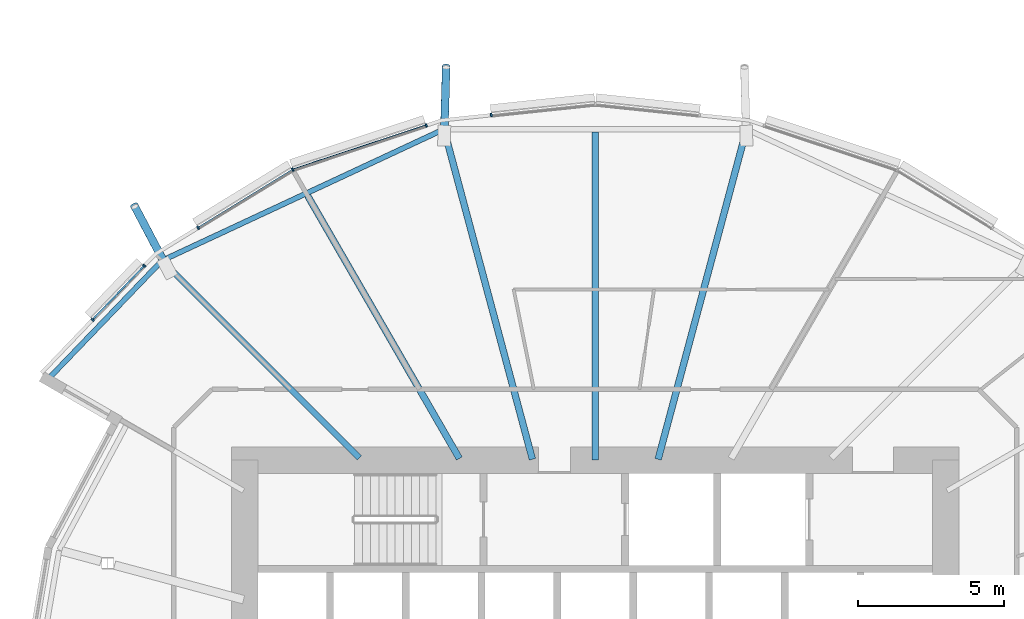
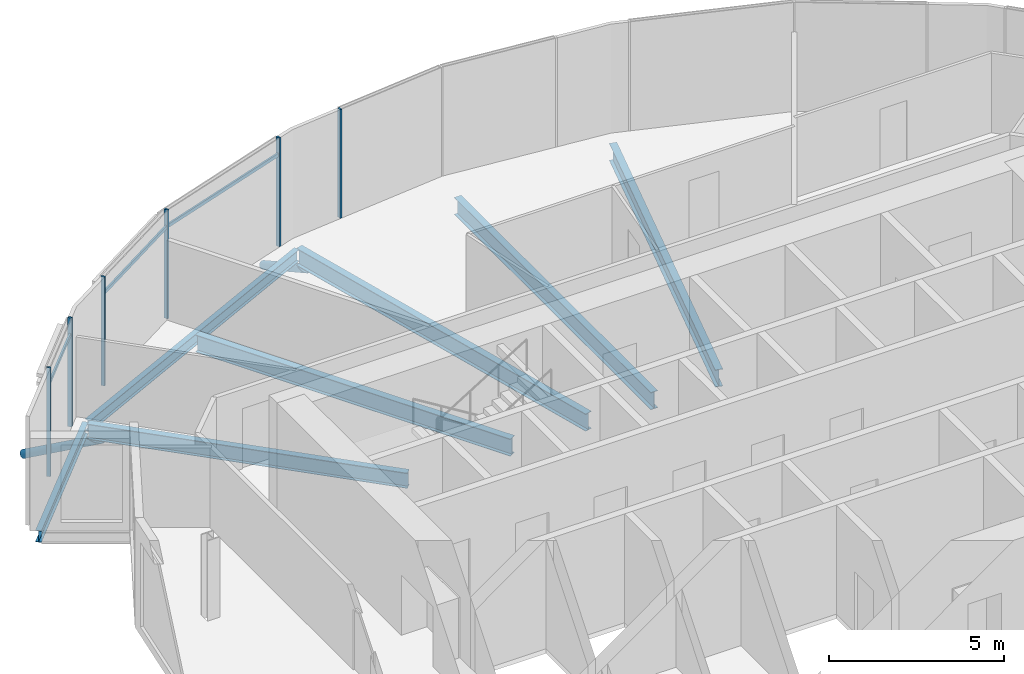
# One storey, part 10 of 37: 11 members, 7 beams, 1 element without a shape of its own.
"""IFC4 building model written with IfcOpenShell, lengths in metres."""

from ifc_helpers import new_model, si_unit, direction, frame, origin, origin_2d, place, context, subcontext, project, spatial, rectangle, hollow_circle, i_section, extrude, clip, halfspace, material, material_profile, profile_set, type_object, element, aggregate, save


model = new_model("IFC4")

# Units and contexts
model_context = context("Model", 3, precision=1e-05, world=origin(), true_north=direction((0.0, 1.0)))
body_context = subcontext(model_context, "Body", "Model", "MODEL_VIEW")
ifc_project = project(units=[si_unit("LENGTHUNIT", "METRE"), si_unit("AREAUNIT", "SQUARE_METRE"), si_unit("VOLUMEUNIT", "CUBIC_METRE"), si_unit("PLANEANGLEUNIT", "RADIAN"), si_unit("MASSUNIT", "GRAM", prefix="KILO")], contexts=[model_context])

# Site, building, storey
site_placement = place(None, origin())
site = spatial("IfcSite", under=ifc_project, at=site_placement, CompositionType="ELEMENT")
building_placement = place(site_placement, origin())
building = spatial("IfcBuilding", under=site, at=building_placement, Name="Rimbun Link Towers", CompositionType="ELEMENT")
storey_placement = place(building_placement, frame((0.0, 0.0, 45.199951171875)))
storey = spatial("IfcBuildingStorey", under=building, at=storey_placement, Name="L10", CompositionType="ELEMENT", Elevation=45.199951171875)

# Curtain wall, members
ifc_material_1 = material(Name="Aluminium 6063-T6 and low-iron glass", Category="aluminium")
curtain_wall_type = type_object("IfcCurtainWallType", Name="CW1 unitised vision wall", PredefinedType="NOTDEFINED", material=ifc_material_1)
curtain_wall_placement = place(storey_placement, origin())
curtain_wall = element("IfcCurtainWall", 1, at=curtain_wall_placement, inside=storey, type_object=curtain_wall_type, Name="CW1 L10 T1", PredefinedType="NOTDEFINED")
ifc_material_2 = material(Name="Aluminium 6063-T6", Category="aluminium")
ifc_material_profile_1 = material_profile(ifc_material_2, rectangle(XDim=0.1201171875, YDim=0.06005859375, at=origin_2d()), Name="MULLION 60X120")
ifc_profile_set_1 = profile_set([ifc_material_profile_1], Name="Aluminium 6063-T6")
member_type_1 = type_object("IfcMemberType", Name="CW1 mullion 60X120", PredefinedType="MULLION", material=ifc_profile_set_1)
member_1_placement = place(storey_placement, frame((-35.310546875, 19.81201171875, 0.0), z_axis=(0.0, 0.0, 1.0), x_axis=(-0.104742031783, 0.994499425228, 0.0)))
member_1 = element("IfcMember", 2, at=member_1_placement, type_object=member_type_1, Name="CW1 mullion", PredefinedType="MULLION", context=body_context, shape_type="SweptSolid", body=[
    extrude(rectangle(XDim=0.1201171875, YDim=0.06005859375, at=origin_2d()), origin(), (0.0, 0.0, 1.0), 3.800048828125),
])
member_2_placement = place(storey_placement, frame((-42.103759765625, 17.944091796875, 0.0), z_axis=(0.0, 0.0, 1.0), x_axis=(-0.421700623213, 0.906735123607, 0.0)))
member_2 = element("IfcMember", 3, at=member_2_placement, type_object=member_type_1, Name="CW1 mullion", PredefinedType="MULLION", context=body_context, shape_type="SweptSolid", body=[
    extrude(rectangle(XDim=0.1201171875, YDim=0.06005859375, at=origin_2d()), origin(), (0.0, 0.0, 1.0), 3.800048828125),
])
member_3_placement = place(storey_placement, frame((-37.535888671875, 19.458251953125, 0.0), z_axis=(0.0, 0.0, 1.0), x_axis=(-0.314557949572, 0.949238271648, 0.0)))
member_3 = element("IfcMember", 4, at=member_3_placement, type_object=member_type_1, Name="CW1 mullion", PredefinedType="MULLION", context=body_context, shape_type="SweptSolid", body=[
    extrude(rectangle(XDim=0.1201171875, YDim=0.06005859375, at=origin_2d()), origin(), (0.0, 0.0, 1.0), 3.800048828125),
])
member_4_placement = place(storey_placement, frame((-45.345947265625, 15.953857421875, 0.0), z_axis=(0.0, 0.0, 1.0), x_axis=(-0.523240552823, 0.852185029135, 0.0)))
member_4 = element("IfcMember", 5, at=member_4_placement, type_object=member_type_1, Name="CW1 mullion", PredefinedType="MULLION", context=body_context, shape_type="SweptSolid", body=[
    extrude(rectangle(XDim=0.1201171875, YDim=0.06005859375, at=origin_2d()), origin(), (0.0, 0.0, 1.0), 3.800048828125),
])
member_5_placement = place(storey_placement, frame((-48.957763671875, 12.81103515625, 0.0), z_axis=(0.0, 0.0, 1.0), x_axis=(-0.721848038908, 0.692051593976, 0.0)))
member_5 = element("IfcMember", 6, at=member_5_placement, type_object=member_type_1, Name="CW1 mullion", PredefinedType="MULLION", context=body_context, shape_type="SweptSolid", body=[
    extrude(rectangle(XDim=0.1201171875, YDim=0.06005859375, at=origin_2d()), origin(), (0.0, 0.0, 1.0), 3.800048828125),
])
member_6_placement = place(storey_placement, frame((-47.187255859375, 14.65771484375, 0.0), z_axis=(0.0, 0.0, 1.0), x_axis=(-0.721848038908, 0.692051593976, 0.0)))
member_6 = element("IfcMember", 7, at=member_6_placement, type_object=member_type_1, Name="CW1 mullion", PredefinedType="MULLION", context=body_context, shape_type="SweptSolid", body=[
    extrude(rectangle(XDim=0.1201171875, YDim=0.06005859375, at=origin_2d()), origin(), (0.0, 0.0, 1.0), 3.800048828125),
])
ifc_material_3 = material(Name="Aluminium 6063-T6", Category="aluminium")
ifc_material_profile_2 = material_profile(ifc_material_3, rectangle(XDim=0.06005859375, YDim=0.1201171875, at=origin_2d()), Name="TRANSOM 60X120")
ifc_profile_set_2 = profile_set([ifc_material_profile_2], Name="Aluminium 6063-T6")
member_type_2 = type_object("IfcMemberType", Name="CW1 transom 60X120", PredefinedType="USERDEFINED", material=ifc_profile_set_2)
member_7_placement = place(storey_placement, frame((-42.068359375, 17.9541015625, 3.199951171875), z_axis=(0.94924257517, 0.314544962581, 0.0), x_axis=(-0.314544962581, 0.94924257517, 0.0)))
member_7 = element("IfcMember", 8, at=member_7_placement, type_object=member_type_2, Name="CW1 transom", ObjectType="TRANSOM", PredefinedType="USERDEFINED", context=body_context, shape_type="SweptSolid", body=[
    extrude(rectangle(XDim=0.06005859375, YDim=0.1201171875, at=origin_2d()), origin(), (0.0, 0.0, 1.0), 4.74560546875),
])
member_8_placement = place(storey_placement, frame((-45.3193359375, 15.9677734375, 3.199951171875), z_axis=(0.852173780916, 0.523258871992, 0.0), x_axis=(-0.523258871992, 0.852173780916, 0.0)))
member_8 = element("IfcMember", 9, at=member_8_placement, type_object=member_type_2, Name="CW1 transom", ObjectType="TRANSOM", PredefinedType="USERDEFINED", context=body_context, shape_type="SweptSolid", body=[
    extrude(rectangle(XDim=0.06005859375, YDim=0.1201171875, at=origin_2d()), origin(), (0.0, 0.0, 1.0), 3.7373046875),
])
member_9_placement = place(storey_placement, frame((-48.935546875, 12.831298828125, 3.199951171875), z_axis=(0.692047551185, 0.721851914799, 0.0), x_axis=(-0.721851914799, 0.692047551185, 0.0)))
member_9 = element("IfcMember", 10, at=member_9_placement, type_object=member_type_2, Name="CW1 transom", ObjectType="TRANSOM", PredefinedType="USERDEFINED", context=body_context, shape_type="SweptSolid", body=[
    extrude(rectangle(XDim=0.06005859375, YDim=0.1201171875, at=origin_2d()), origin(), (0.0, 0.0, 1.0), 2.498291015625),
])
aggregate(curtain_wall, [member_1, member_2, member_3, member_4, member_5, member_6, member_7, member_8, member_9])

# Members
ifc_material_4 = material(Name="Steel S355J2H", Category="steel")
ifc_material_profile_3 = material_profile(ifc_material_4, hollow_circle(Radius=0.136474609375, WallThickness=0.012451171875, at=origin_2d()), Name="CHS 273x12.5")
ifc_profile_set_3 = profile_set([ifc_material_profile_3], Name="Steel S355J2H")
member_type_3 = type_object("IfcMemberType", Name="Floor edge link CHS 273x12.5", PredefinedType="BRACE", material=ifc_profile_set_3)
member_10_placement = place(storey_placement, frame((-36.91650390625, 19.281494140625, -0.880859375), z_axis=(0.024967858642, 0.869169571413, -0.493883449981), x_axis=(-0.999587660547, 0.028714262705, 0.0)))
element("IfcMember", 11, at=member_10_placement, inside=storey, type_object=member_type_3, Name="Floor edge link T1 L10 07", PredefinedType="BRACE", context=body_context, shape_type="Clipping", body=[
    clip(extrude(hollow_circle(Radius=0.136474609375, WallThickness=0.012451171875, at=origin_2d()), frame((0.0, 0.0, -0.5009765625)), (0.0, 0.0, 1.0), 3.043212890625), halfspace(frame((0.0, 0.0, -0.235595703125), z_axis=(0.0, 0.869528112159, -0.493883449981)), False)),
])
member_11_placement = place(storey_placement, frame((-46.482421875, 14.732421875, -0.811279296875), z_axis=(-0.405303033078, 0.767754644157, -0.49626833241), x_axis=(-0.884337584323, -0.466847980561, 0.0)))
element("IfcMember", 12, at=member_11_placement, inside=storey, type_object=member_type_3, Name="Floor edge link T1 L10 09", PredefinedType="BRACE", context=body_context, shape_type="Clipping", body=[
    clip(extrude(hollow_circle(Radius=0.136474609375, WallThickness=0.012451171875, at=origin_2d()), frame((0.0, 0.0, -0.497802734375)), (0.0, 0.0, 1.0), 3.095703125), halfspace(frame((0.0, 0.0, -0.234130859375), z_axis=(0.0, 0.868169189874, -0.49626833241)), False)),
])

# Beams
ifc_material_5 = material(Name="Steel S355J2", Category="steel")
ifc_material_profile_4 = material_profile(ifc_material_5, i_section(OverallWidth=0.177978515625, OverallDepth=0.406494140625, WebThickness=0.0078125, FlangeThickness=0.0126953125, at=origin_2d()), Name="UB 406x178x60")
ifc_profile_set_4 = profile_set([ifc_material_profile_4], Name="Steel S355J2")
beam_type_1 = type_object("IfcBeamType", Name="UB 406x178x60", PredefinedType="BEAM", material=ifc_profile_set_4)
beam_1_placement = place(storey_placement, frame((-37.034912109375, 19.280517578125, -0.363037109375), z_axis=(-0.906398512067, -0.422423646738, 0.0), x_axis=(0.422423646738, -0.906398512067, 0.0)))
element("IfcBeam", 13, at=beam_1_placement, inside=storey, type_object=beam_type_1, Name="Edge beam T1 L10 07-09", PredefinedType="BEAM", context=body_context, shape_type="SweptSolid", body=[
    extrude(i_section(OverallWidth=0.177978515625, OverallDepth=0.406494140625, WebThickness=0.0078125, FlangeThickness=0.0126953125, at=origin_2d()), origin(), (0.0, 0.0, 1.0), 10.419921875),
])
beam_2_placement = place(storey_placement, frame((-46.58203125, 14.830810546875, -0.363037109375), z_axis=(-0.692969919179, -0.720966497913, 0.0), x_axis=(0.720966497913, -0.692969919179, 0.0)))
element("IfcBeam", 14, at=beam_2_placement, inside=storey, type_object=beam_type_1, Name="Edge beam T1 L10 09", PredefinedType="BEAM", context=body_context, shape_type="SweptSolid", body=[
    extrude(i_section(OverallWidth=0.177978515625, OverallDepth=0.406494140625, WebThickness=0.0078125, FlangeThickness=0.0126953125, at=origin_2d()), origin(), (0.0, 0.0, 1.0), 5.58984375),
])
ifc_material_6 = material(Name="Steel S355J2", Category="steel")
ifc_material_profile_5 = material_profile(ifc_material_6, i_section(OverallWidth=0.209228515625, OverallDepth=0.533203125, WebThickness=0.010009765625, FlangeThickness=0.015625, at=origin_2d()), Name="UB 533x210x92")
ifc_profile_set_5 = profile_set([ifc_material_profile_5], Name="Steel S355J2")
beam_type_2 = type_object("IfcBeamType", Name="UB 533x210x92", PredefinedType="BEAM", material=ifc_profile_set_5)
beam_3_placement = place(storey_placement, frame((-39.82470703125, 8.07470703125, -0.426513671875), z_axis=(-0.707106781187, 0.707106781187, 0.0), x_axis=(-0.707106781187, -0.707106781187, 0.0)))
element("IfcBeam", 15, at=beam_3_placement, inside=storey, type_object=beam_type_2, Name="Radial beam T1 L10 09", PredefinedType="BEAM", context=body_context, shape_type="SweptSolid", body=[
    extrude(i_section(OverallWidth=0.209228515625, OverallDepth=0.533203125, WebThickness=0.010009765625, FlangeThickness=0.015625, at=origin_2d()), origin(), (0.0, 0.0, 1.0), 9.465576171875),
])
ifc_material_7 = material(Name="Steel S355J2", Category="steel")
ifc_material_profile_6 = material_profile(ifc_material_7, i_section(OverallWidth=0.2275390625, OverallDepth=0.6025390625, WebThickness=0.010498046875, FlangeThickness=0.014892578125, at=origin_2d()), Name="UB 610x229x101")
ifc_profile_set_6 = profile_set([ifc_material_profile_6], Name="Steel S355J2")
beam_type_3 = type_object("IfcBeamType", Name="UB 610x229x101", PredefinedType="BEAM", material=ifc_profile_set_6)
beam_4_placement = place(storey_placement, frame((-29.598388671875, 8.030517578125, -0.461181640625), z_axis=(0.258839363348, 0.965920381803, 0.0), x_axis=(-0.965920381803, 0.258839363348, 0.0)))
element("IfcBeam", 16, at=beam_4_placement, inside=storey, type_object=beam_type_3, Name="Radial beam T1 L10 05", PredefinedType="BEAM", context=body_context, shape_type="SweptSolid", body=[
    extrude(i_section(OverallWidth=0.2275390625, OverallDepth=0.6025390625, WebThickness=0.010498046875, FlangeThickness=0.014892578125, at=origin_2d()), origin(), (0.0, 0.0, 1.0), 11.69775390625),
])
beam_5_placement = place(storey_placement, frame((-31.75, 8.0009765625, -0.461181640625), z_axis=(0.0, 1.0, 0.0), x_axis=(-1.0, 0.0, 0.0)))
element("IfcBeam", 17, at=beam_5_placement, inside=storey, type_object=beam_type_3, Name="Radial beam T1 L10 06", PredefinedType="BEAM", context=body_context, shape_type="SweptSolid", body=[
    extrude(i_section(OverallWidth=0.2275390625, OverallDepth=0.6025390625, WebThickness=0.010498046875, FlangeThickness=0.014892578125, at=origin_2d()), origin(), (0.0, 0.0, 1.0), 11.23876953125),
])
beam_6_placement = place(storey_placement, frame((-33.901611328125, 8.030517578125, -0.461181640625), z_axis=(-0.258839363348, 0.965920381803, 0.0), x_axis=(-0.965920381803, -0.258839363348, 0.0)))
element("IfcBeam", 18, at=beam_6_placement, inside=storey, type_object=beam_type_3, Name="Radial beam T1 L10 07", PredefinedType="BEAM", context=body_context, shape_type="SweptSolid", body=[
    extrude(i_section(OverallWidth=0.2275390625, OverallDepth=0.6025390625, WebThickness=0.010498046875, FlangeThickness=0.014892578125, at=origin_2d()), origin(), (0.0, 0.0, 1.0), 11.69775390625),
])
beam_7_placement = place(storey_placement, frame((-36.402099609375, 8.057861328125, -0.461181640625), z_axis=(-0.499998423118, 0.866026314196, 0.0), x_axis=(-0.866026314196, -0.499998423118, 0.0)))
element("IfcBeam", 19, at=beam_7_placement, inside=storey, type_object=beam_type_3, Name="Radial beam T1 L10 08", PredefinedType="BEAM", context=body_context, shape_type="SweptSolid", body=[
    extrude(i_section(OverallWidth=0.2275390625, OverallDepth=0.6025390625, WebThickness=0.010498046875, FlangeThickness=0.014892578125, at=origin_2d()), origin(), (0.0, 0.0, 1.0), 10.38916015625),
])

save(model, "model.ifc")
